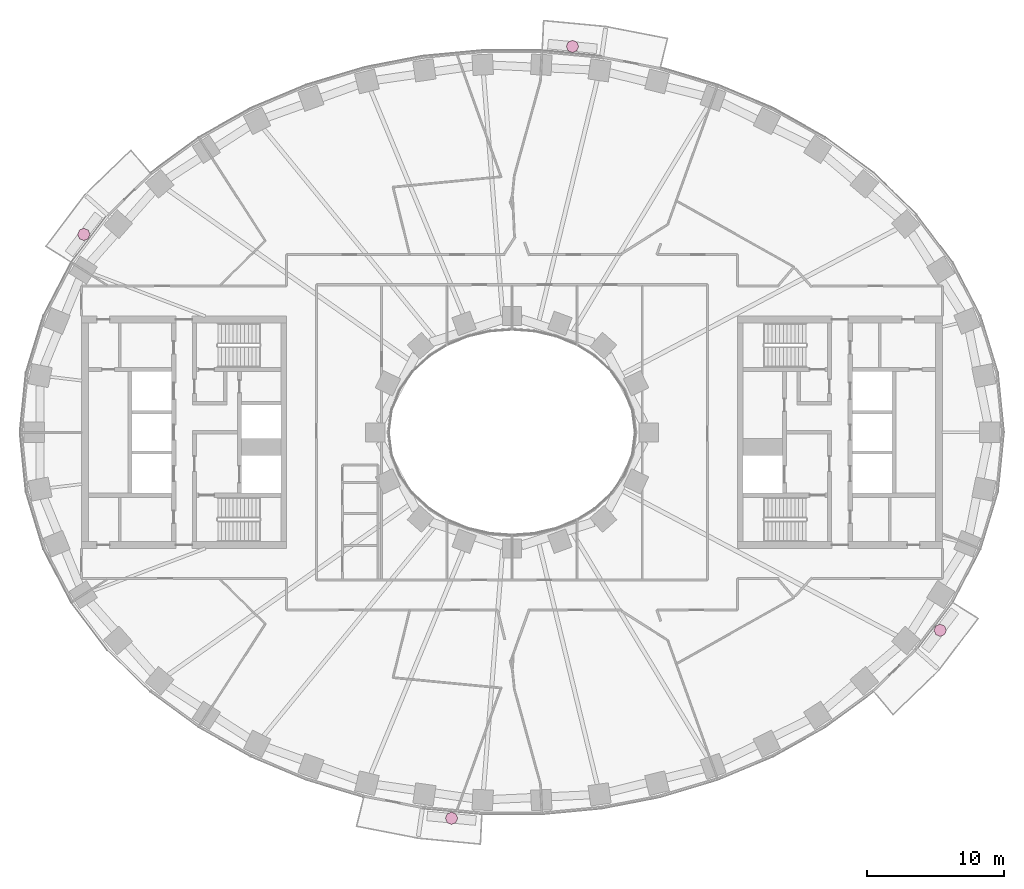
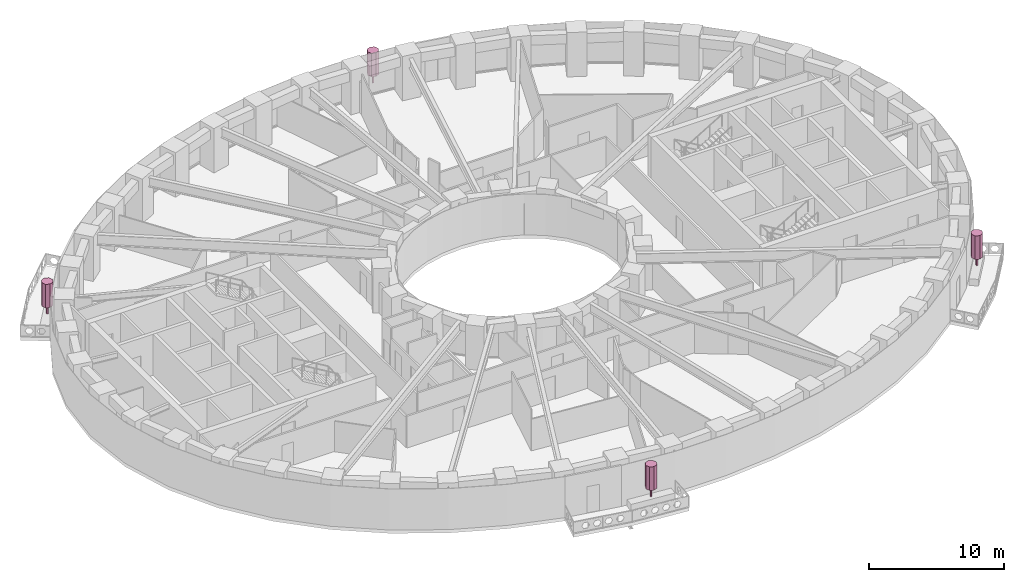
# One storey, part 16 of 16: 4 furnishings.
"""IFC4 building model written with IfcOpenShell, lengths in metres."""

from ifc_helpers import new_model, si_unit, direction, frame, origin, origin_2d, place, context, subcontext, project, spatial, polyline, rectangle, outline, extrude, material, type_object, element, save


model = new_model("IFC4")

# Units and contexts
model_context = context("Model", 3, precision=1e-05, world=origin(), true_north=direction((0.0, 1.0)))
body_context = subcontext(model_context, "Body", "Model", "MODEL_VIEW")
ifc_project = project(units=[si_unit("LENGTHUNIT", "METRE"), si_unit("AREAUNIT", "SQUARE_METRE"), si_unit("VOLUMEUNIT", "CUBIC_METRE"), si_unit("PLANEANGLEUNIT", "RADIAN"), si_unit("MASSUNIT", "GRAM", prefix="KILO")], contexts=[model_context])

# Site, building, storey
site_placement = place(None, origin())
site = spatial("IfcSite", under=ifc_project, at=site_placement, CompositionType="ELEMENT")
building_placement = place(site_placement, origin())
building = spatial("IfcBuilding", under=site, at=building_placement, Name="Noorbagh Ring Tower", CompositionType="ELEMENT")
storey_placement = place(building_placement, frame((0.0, 0.0, 46.5)))
storey = spatial("IfcBuildingStorey", under=building, at=storey_placement, Name="L09", CompositionType="ELEMENT", Elevation=46.5)

# Furnishings
ifc_material = material(Name="Planting foliage green")
furnishing_element_type = type_object("IfcFurnishingElementType", Name="ENV-TREE", material=ifc_material)
for number, where, z_axis, x_axis, name in (
    (1, (4.423828125, 28.2373046875, 0.60009765625), (0.0, 0.0, 1.0), (1.0, 0.0, 0.0), "Tree BN03"),
    (2, (-31.329833984375, 14.4833984375, 0.60009765625), (0.0, 0.0, 1.0), (1.0, 0.0, 0.0), "Tree BN06"),
    (3, (-4.423828125, -28.2373046875, 0.60009765625), (0.0, 0.0, 1.0), (1.0, 0.0, 0.0), "Tree BS03"),
    (4, (31.329833984375, -14.4833984375, 0.60009765625), (0.0, 0.0, 1.0), (1.0, 0.0, 0.0), "Tree BS06"),
):
    element("IfcFurnishingElement", number, at=place(storey_placement, frame(where, z_axis=z_axis, x_axis=x_axis)), inside=storey, type_object=furnishing_element_type, Name=name, context=body_context, shape_type="SweptSolid", body=[
        extrude(rectangle(XDim=0.1201171875, YDim=0.1201171875, at=origin_2d()), origin(), (0.0, 0.0, 1.0), 0.825927734375),
        extrude(outline(polyline([(0.449951171875, 0.0), (0.318115234375, 0.318115234375), (0.0, 0.449951171875), (-0.318115234375, 0.318115234375), (-0.449951171875, 0.0), (-0.318115234375, -0.318115234375), (0.0, -0.449951171875), (0.318115234375, -0.318115234375), (0.449951171875, 0.0)])), frame((0.0, 0.0, 0.825927734375)), (0.0, 0.0, 1.0), 2.1240234375),
    ])

save(model, "model.ifc")
